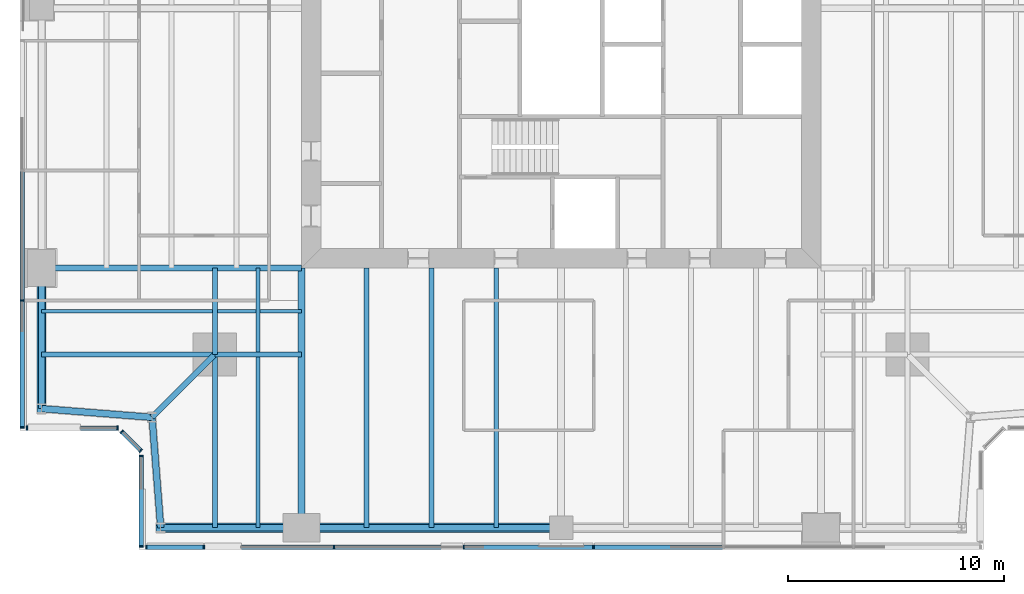
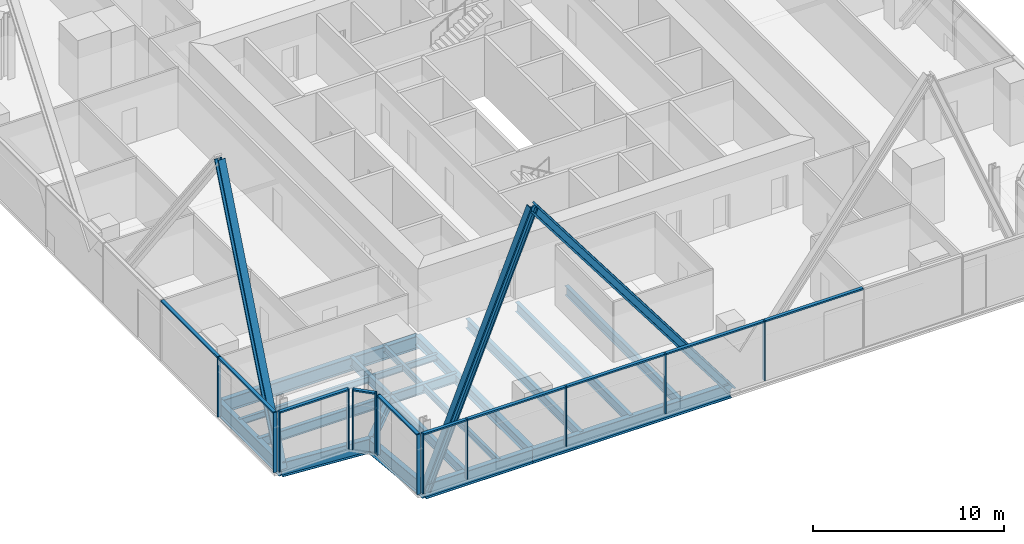
# One storey, part 2 of 14: 26 members, 20 beams, 5 elements without a shape of their own.
"""IFC4 building model written with IfcOpenShell, lengths in metres."""

import ifcopenshell
import ifcopenshell.guid

model = None  # the IFC model being written
_history = None  # IfcOwnerHistory: only IFC2X3 demands one
_inside = {}  # id of a spatial element -> (the spatial element, [elements in it])
_under = {}  # id of a project, library or spatial element -> (it, [spatial elements below it])
_declared = {}  # id of a project -> (the project, [libraries it declares])
_typed = {}  # id of a type object -> (the type object, [elements of that type])
_made_of = {}  # id of a material, layer set ... -> (it, [elements and type objects made of it])


def new_model(schema):
    """Start an empty IFC model of exactly this schema.

    Asked for "IFC4X3", IfcOpenShell would pick the latest addendum, in which some entities
    have other attributes; the version numbers below select the first issue.
    IFC2X3 requires an IfcOwnerHistory on every rooted entity: one is made here for all.
    """
    global model, _history
    if schema == "IFC4X3":
        model = ifcopenshell.file(schema_version=(4, 3, 0, 0))
    else:
        model = ifcopenshell.file(schema=schema)
    _inside.clear()
    _under.clear()
    _declared.clear()
    _typed.clear()
    _made_of.clear()
    _history = None
    if model.schema == "IFC2X3":
        org = make("IfcOrganization", Name="unknown")
        user = make(
            "IfcPersonAndOrganization",
            ThePerson=make("IfcPerson", FamilyName="unknown"),
            TheOrganization=org,
        )
        app = make(
            "IfcApplication",
            ApplicationDeveloper=org,
            Version="unknown",
            ApplicationFullName="unknown",
            ApplicationIdentifier="unknown",
        )
        _history = make(
            "IfcOwnerHistory",
            OwningUser=user,
            OwningApplication=app,
            ChangeAction="ADDED",
            CreationDate=0,
        )
    return model


def make(cls, **values):
    """One entity of the class cls with the attributes given. An attribute that is None is left unset."""
    return model.create_entity(
        cls, **{name: value for name, value in values.items() if value is not None}
    )


def rooted(cls, **values):
    """An entity with a GlobalId (a new one), such as an element, a storey or a relation."""
    return make(cls, GlobalId=ifcopenshell.guid.new(), OwnerHistory=_history, **values)


def si_unit(unit_type, name, prefix=None):
    """IfcSIUnit, for example si_unit("LENGTHUNIT", "METRE", prefix="MILLI")."""
    return make("IfcSIUnit", UnitType=unit_type, Prefix=prefix, Name=name)


def assignment(units):
    """IfcUnitAssignment: the units of a project."""
    return None if units is None else make("IfcUnitAssignment", Units=units)


def point(xyz):
    """IfcCartesianPoint."""
    return None if xyz is None else make("IfcCartesianPoint", Coordinates=xyz)


def direction(xyz):
    """IfcDirection."""
    return None if xyz is None else make("IfcDirection", DirectionRatios=xyz)


def frame(location, z_axis=None, x_axis=None):
    """IfcAxis2Placement3D, a coordinate frame: its origin and axes. An axis left out is left unset."""
    return make(
        "IfcAxis2Placement3D",
        Location=point(location),
        Axis=direction(z_axis),
        RefDirection=direction(x_axis),
    )


def frame_2d(location, x_axis=None):
    """IfcAxis2Placement2D, a coordinate frame in the plane: its origin and x axis."""
    return make(
        "IfcAxis2Placement2D", Location=point(location), RefDirection=direction(x_axis)
    )


def origin():
    """The frame at (0, 0, 0) with its axes left unset."""
    return frame((0.0, 0.0, 0.0))


def origin_2d():
    """The frame at (0, 0) in the plane with its x axis left unset."""
    return frame_2d((0.0, 0.0))


def place(relative_to, where):
    """IfcLocalPlacement: puts the frame where relative to a parent placement (None: the world)."""
    return make(
        "IfcLocalPlacement", PlacementRelTo=relative_to, RelativePlacement=where
    )


def context(
    kind, dimensions, precision=None, world=None, true_north=None, identifier=None
):
    """IfcGeometricRepresentationContext, for example the 3D "Model" context."""
    return make(
        "IfcGeometricRepresentationContext",
        ContextIdentifier=identifier,
        ContextType=kind,
        CoordinateSpaceDimension=dimensions,
        Precision=precision,
        WorldCoordinateSystem=world,
        TrueNorth=true_north,
    )


def subcontext(parent, identifier, kind, view, scale=None):
    """IfcGeometricRepresentationSubContext, for example "Body" below "Model"."""
    return make(
        "IfcGeometricRepresentationSubContext",
        ContextIdentifier=identifier,
        ContextType=kind,
        ParentContext=parent,
        TargetScale=scale,
        TargetView=view,
    )


def project(units=None, contexts=None):
    """IfcProject with its units and contexts."""
    return rooted(
        "IfcProject",
        Name="project",
        RepresentationContexts=contexts,
        UnitsInContext=assignment(units),
    )


def spatial(cls, under=None, at=None, **own):
    """A site, building, storey or space (cls), placed at a placement, below another one or the project."""
    s = rooted(cls, ObjectPlacement=at, **own)
    if under is not None:
        _under.setdefault(under.id(), (under, []))[1].append(s)
    return s


def profile(cls, at=None, kind="AREA", **sizes):
    """A parametric profile (cls). Its sizes go by their IFC names, for example OverallWidth=200.0."""
    return make(cls, ProfileType=kind, Position=at, **sizes)


def rectangle(**sizes):
    """IfcRectangleProfileDef."""
    return profile("IfcRectangleProfileDef", **sizes)


def i_section(**sizes):
    """IfcIShapeProfileDef."""
    return profile("IfcIShapeProfileDef", **sizes)


def extrude(swept, where, along, depth):
    """IfcExtrudedAreaSolid: the profile swept, set in the frame where, extruded along a direction by depth."""
    return make(
        "IfcExtrudedAreaSolid",
        SweptArea=swept,
        Position=where,
        ExtrudedDirection=direction(along),
        Depth=depth,
    )


def shape(context_of_items, identifier, shape_type, items):
    """IfcShapeRepresentation: the items that make up one representation, for example the "Body"."""
    return make(
        "IfcShapeRepresentation",
        ContextOfItems=context_of_items,
        RepresentationIdentifier=identifier,
        RepresentationType=shape_type,
        Items=items,
    )


def material(Name=None, Category=None):
    """IfcMaterial."""
    return make("IfcMaterial", Name=Name, Category=Category)


def material_profile(
    of_material, cross_section, Name=None, Category=None, Priority=None
):
    """IfcMaterialProfile: a cross section and its material."""
    return make(
        "IfcMaterialProfile",
        Name=Name,
        Material=of_material,
        Profile=cross_section,
        Priority=Priority,
        Category=Category,
    )


def profile_set(profiles, Name=None, composite=None):
    """IfcMaterialProfileSet."""
    return make(
        "IfcMaterialProfileSet",
        Name=Name,
        MaterialProfiles=profiles,
        CompositeProfile=composite,
    )


def made_of(thing, what):
    """Note that an element or type object is made of a material, layer set ...; save() writes the relation."""
    if what is not None:
        _made_of.setdefault(what.id(), (what, []))[1].append(thing)
    return thing


def type_object(cls, material=None, **own):
    """A type object (cls), such as IfcWallType, which elements share."""
    return made_of(rooted(cls, **own), material)


def element(
    cls,
    number,
    at=None,
    inside=None,
    cuts=None,
    type_object=None,
    material=None,
    context=None,
    identifier="Body",
    shape_type=None,
    held_by="IfcProductDefinitionShape",
    body=None,
    shapes=None,
    **own,
):
    """One element of the class cls, such as IfcWall. Its Tag is "e" and its number.

    at: its placement. inside: the storey or other place that contains it. cuts: it is an
    opening in that element (IfcRelVoidsElement). A single representation is given by context,
    identifier, shape_type and body (its items); several are given by shapes. held_by: the class
    of the entity that holds the representations. save() writes the other relations.
    """
    e = rooted(cls, Tag="e%d" % number, ObjectPlacement=at, **own)
    if body is not None:
        shapes = [shape(context, identifier, shape_type, body)]
    if shapes is not None:
        e.Representation = make(held_by, Representations=shapes)
    if inside is not None:
        _inside.setdefault(inside.id(), (inside, []))[1].append(e)
    if cuts is not None:
        rooted(
            "IfcRelVoidsElement", RelatingBuildingElement=cuts, RelatedOpeningElement=e
        )
    if type_object is not None:
        _typed.setdefault(type_object.id(), (type_object, []))[1].append(e)
    return made_of(e, material)


def aggregate(whole, parts):
    """IfcRelAggregates: a whole, such as a stair, and the parts it consists of."""
    return rooted("IfcRelAggregates", RelatingObject=whole, RelatedObjects=parts)


def save(model, path):
    """Write the relations noted so far, then the file.

    IfcRelAggregates (storeys below a building ...), IfcRelContainedInSpatialStructure (elements
    in a storey), IfcRelDefinesByType, IfcRelAssociatesMaterial and IfcRelDeclares: one each for
    every whole, place, type object, material and project.
    """
    for whole, parts in _under.values():
        aggregate(whole, parts)
    for where, things in _inside.values():
        rooted(
            "IfcRelContainedInSpatialStructure",
            RelatedElements=things,
            RelatingStructure=where,
        )
    for kind, things in _typed.values():
        rooted("IfcRelDefinesByType", RelatedObjects=things, RelatingType=kind)
    for what, things in _made_of.values():
        rooted("IfcRelAssociatesMaterial", RelatedObjects=things, RelatingMaterial=what)
    for by, libraries in _declared.values():
        rooted("IfcRelDeclares", RelatingContext=by, RelatedDefinitions=libraries)
    model.write(path)


model = new_model("IFC4")

# Units and contexts
model_context = context("Model", 3, precision=1e-05, world=origin(), true_north=direction((0.0, 1.0)))
body_context = subcontext(model_context, "Body", "Model", "MODEL_VIEW")
ifc_project = project(units=[si_unit("LENGTHUNIT", "METRE"), si_unit("AREAUNIT", "SQUARE_METRE"), si_unit("VOLUMEUNIT", "CUBIC_METRE"), si_unit("PLANEANGLEUNIT", "RADIAN"), si_unit("MASSUNIT", "GRAM", prefix="KILO")], contexts=[model_context])

# Site, building, storey
site_placement = place(None, origin())
site = spatial("IfcSite", under=ifc_project, at=site_placement, CompositionType="ELEMENT")
building_placement = place(site_placement, origin())
building = spatial("IfcBuilding", under=site, at=building_placement, Name="Fenwick Lantern Interchange", CompositionType="ELEMENT")
storey_placement = place(building_placement, frame((0.0, 0.0, 217.800048828125)))
storey = spatial("IfcBuildingStorey", under=building, at=storey_placement, Name="L51", CompositionType="ELEMENT", Elevation=217.800048828125)

# Beams
ifc_material_1 = material(Name="Steel ASTM A992 Grade 50", Category="steel")
ifc_material_profile_1 = material_profile(ifc_material_1, i_section(OverallWidth=0.3046875, OverallDepth=0.911865234375, WebThickness=0.015869140625, FlangeThickness=0.02392578125, at=origin_2d()), Name="W36X150")
ifc_profile_set_1 = profile_set([ifc_material_profile_1], Name="Steel ASTM A992 Grade 50")
beam_type_1 = type_object("IfcBeamType", Name="EDGE BEAM W36X150", PredefinedType="SPANDREL", material=ifc_profile_set_1)
beam_1_placement = place(storey_placement, frame((6.5, 1.0, -0.60595703125), z_axis=(1.0, 0.0, 0.0), x_axis=(0.0, 1.0, 0.0)))
element("IfcBeam", 1, at=beam_1_placement, inside=storey, type_object=beam_type_1, Name="L51/FR/S/EB1", PredefinedType="SPANDREL", context=body_context, shape_type="SweptSolid", body=[
    extrude(i_section(OverallWidth=0.3046875, OverallDepth=0.911865234375, WebThickness=0.015869140625, FlangeThickness=0.02392578125, at=origin_2d()), origin(), (0.0, 0.0, 1.0), 6.5),
])
beam_2_placement = place(storey_placement, frame((13.0, 1.0, -0.60595703125), z_axis=(1.0, 0.0, 0.0), x_axis=(0.0, 1.0, 0.0)))
element("IfcBeam", 2, at=beam_2_placement, inside=storey, type_object=beam_type_1, Name="L51/FR/S/EB2", PredefinedType="SPANDREL", context=body_context, shape_type="SweptSolid", body=[
    extrude(i_section(OverallWidth=0.3046875, OverallDepth=0.911865234375, WebThickness=0.015869140625, FlangeThickness=0.02392578125, at=origin_2d()), origin(), (0.0, 0.0, 1.0), 12.0),
])
beam_3_placement = place(storey_placement, frame((1.0, 13.0, -0.60595703125), z_axis=(0.0, -1.0, 0.0), x_axis=(1.0, 0.0, 0.0)))
element("IfcBeam", 3, at=beam_3_placement, inside=storey, type_object=beam_type_1, Name="L51/FR/W/EB4", PredefinedType="SPANDREL", context=body_context, shape_type="SweptSolid", body=[
    extrude(i_section(OverallWidth=0.3046875, OverallDepth=0.911865234375, WebThickness=0.015869140625, FlangeThickness=0.02392578125, at=origin_2d()), origin(), (0.0, 0.0, 1.0), 6.5),
])
for number, where, z_axis, x_axis, name in (
    (4, (1.0, 6.5, -0.60595703125), (0.99693998236, -0.078170784639, 0.0), (0.078170784639, 0.99693998236, 0.0), "L51/FR/W/EBR1"),
    (5, (6.10009765625, 6.10009765625, -0.60595703125), (0.078170784639, -0.99693998236, 0.0), (0.99693998236, 0.078170784639, 0.0), "L51/FR/W/EBR2"),
):
    element("IfcBeam", number, at=place(storey_placement, frame(where, z_axis=z_axis, x_axis=x_axis)), inside=storey, type_object=beam_type_1, Name=name, PredefinedType="SPANDREL", context=body_context, shape_type="SweptSolid", body=[
        extrude(i_section(OverallWidth=0.3046875, OverallDepth=0.911865234375, WebThickness=0.015869140625, FlangeThickness=0.02392578125, at=origin_2d()), origin(), (0.0, 0.0, 1.0), 5.11572265625),
    ])

# Members
ifc_material_profile_2 = material_profile(ifc_material_1, i_section(OverallWidth=0.424072265625, OverallDepth=0.47509765625, WebThickness=0.0478515625, FlangeThickness=0.0771484375, at=origin_2d()), Name="W14X426")
ifc_profile_set_2 = profile_set([ifc_material_profile_2], Name="Steel ASTM A992 Grade 50")
member_type_1 = type_object("IfcMemberType", Name="FACADE BRACE W14X426", PredefinedType="BRACE", material=ifc_profile_set_2)
for number, where, z_axis, x_axis, name in (
    (6, (6.5, 1.0, -0.60595703125), (0.378707062483, 0.0, 0.925516591329), (0.0, 1.0, 0.0), "L51/FB/S/AE"),
    (7, (1.0, 6.5, -0.60595703125), (0.0, 0.378707062483, 0.925516591329), (-1.0, 0.0, 0.0), "L51/FB/W/BE"),
):
    element("IfcMember", number, at=place(storey_placement, frame(where, z_axis=z_axis, x_axis=x_axis)), inside=storey, type_object=member_type_1, Name=name, PredefinedType="BRACE", context=body_context, shape_type="SweptSolid", body=[
        extrude(i_section(OverallWidth=0.424072265625, OverallDepth=0.47509765625, WebThickness=0.0478515625, FlangeThickness=0.0771484375, at=origin_2d()), origin(), (0.0, 0.0, 1.0), 17.16357421875),
    ])
ifc_material_profile_3 = material_profile(ifc_material_1, i_section(OverallWidth=0.44189453125, OverallDepth=0.53076171875, WebThickness=0.06591796875, FlangeThickness=0.105712890625, at=origin_2d()), Name="W14X605")
ifc_profile_set_3 = profile_set([ifc_material_profile_3], Name="Steel ASTM A992 Grade 50")
member_type_2 = type_object("IfcMemberType", Name="FACADE BRACE W14X605", PredefinedType="BRACE", material=ifc_profile_set_3)
member_1_placement = place(storey_placement, frame((25.0, 1.0, -0.60595703125), z_axis=(-0.602763000162, 0.0, 0.797920275238), x_axis=(0.0, -1.0, 0.0)))
element("IfcMember", 8, at=member_1_placement, inside=storey, type_object=member_type_2, Name="L51/FB/S/A", PredefinedType="BRACE", context=body_context, shape_type="SweptSolid", body=[
    extrude(i_section(OverallWidth=0.44189453125, OverallDepth=0.53076171875, WebThickness=0.06591796875, FlangeThickness=0.105712890625, at=origin_2d()), origin(), (0.0, 0.0, 1.0), 19.908203125),
])

# Beams
ifc_material_profile_4 = material_profile(ifc_material_1, i_section(OverallWidth=0.22900390625, OverallDepth=0.612060546875, WebThickness=0.011962890625, FlangeThickness=0.01953125, at=origin_2d()), Name="W24X84")
ifc_profile_set_4 = profile_set([ifc_material_profile_4], Name="Steel ASTM A992 Grade 50")
beam_type_2 = type_object("IfcBeamType", Name="FLOOR BEAM W24X84", PredefinedType="BEAM", material=ifc_profile_set_4)
for number, where, z_axis, x_axis, name in (
    (9, (16.0, 1.0, -0.4560546875), (0.0, 1.0, 0.0), (-1.0, 0.0, 0.0), "L51/FR/S/R02"),
    (10, (19.0, 1.0, -0.4560546875), (0.0, 1.0, 0.0), (-1.0, 0.0, 0.0), "L51/FR/S/R03"),
    (11, (22.0, 1.0, -0.4560546875), (0.0, 1.0, 0.0), (-1.0, 0.0, 0.0), "L51/FR/S/R04"),
):
    element("IfcBeam", number, at=place(storey_placement, frame(where, z_axis=z_axis, x_axis=x_axis)), inside=storey, type_object=beam_type_2, Name=name, PredefinedType="BEAM", context=body_context, shape_type="SweptSolid", body=[
        extrude(i_section(OverallWidth=0.22900390625, OverallDepth=0.612060546875, WebThickness=0.011962890625, FlangeThickness=0.01953125, at=origin_2d()), origin(), (0.0, 0.0, 1.0), 12.0),
    ])
ifc_material_profile_5 = material_profile(ifc_material_1, i_section(OverallWidth=0.177734375, OverallDepth=0.406494140625, WebThickness=0.0078125, FlangeThickness=0.012939453125, at=origin_2d()), Name="W16X40")
ifc_profile_set_5 = profile_set([ifc_material_profile_5], Name="Steel ASTM A992 Grade 50")
beam_type_3 = type_object("IfcBeamType", Name="INFILL BEAM W16X40", PredefinedType="JOIST", material=ifc_profile_set_5)
beam_4_placement = place(storey_placement, frame((11.0, 1.0, -0.353271484375), z_axis=(0.0, 1.0, 0.0), x_axis=(-1.0, 0.0, 0.0)))
element("IfcBeam", 12, at=beam_4_placement, inside=storey, type_object=beam_type_3, Name="L51/FR/S/J1", PredefinedType="JOIST", context=body_context, shape_type="SweptSolid", body=[
    extrude(i_section(OverallWidth=0.177734375, OverallDepth=0.406494140625, WebThickness=0.0078125, FlangeThickness=0.012939453125, at=origin_2d()), origin(), (0.0, 0.0, 1.0), 7.885498046875),
])
beam_5_placement = place(storey_placement, frame((11.0, 9.114501953125, -0.353271484375), z_axis=(0.0, 1.0, 0.0), x_axis=(-1.0, 0.0, 0.0)))
element("IfcBeam", 13, at=beam_5_placement, inside=storey, type_object=beam_type_3, Name="L51/FR/S/J2", PredefinedType="JOIST", context=body_context, shape_type="SweptSolid", body=[
    extrude(i_section(OverallWidth=0.177734375, OverallDepth=0.406494140625, WebThickness=0.0078125, FlangeThickness=0.012939453125, at=origin_2d()), origin(), (0.0, 0.0, 1.0), 3.885498046875),
])
beam_6_placement = place(storey_placement, frame((1.0, 11.0, -0.353271484375), z_axis=(1.0, 0.0, 0.0), x_axis=(0.0, 1.0, 0.0)))
element("IfcBeam", 14, at=beam_6_placement, inside=storey, type_object=beam_type_3, Name="L51/FR/S/J3", PredefinedType="JOIST", context=body_context, shape_type="SweptSolid", body=[
    extrude(i_section(OverallWidth=0.177734375, OverallDepth=0.406494140625, WebThickness=0.0078125, FlangeThickness=0.012939453125, at=origin_2d()), origin(), (0.0, 0.0, 1.0), 7.885498046875),
])
beam_7_placement = place(storey_placement, frame((9.114501953125, 11.0, -0.353271484375), z_axis=(1.0, 0.0, 0.0), x_axis=(0.0, 1.0, 0.0)))
element("IfcBeam", 15, at=beam_7_placement, inside=storey, type_object=beam_type_3, Name="L51/FR/S/J4", PredefinedType="JOIST", context=body_context, shape_type="SweptSolid", body=[
    extrude(i_section(OverallWidth=0.177734375, OverallDepth=0.406494140625, WebThickness=0.0078125, FlangeThickness=0.012939453125, at=origin_2d()), origin(), (0.0, 0.0, 1.0), 1.796630859375),
])
beam_8_placement = place(storey_placement, frame((11.0888671875, 11.0, -0.353271484375), z_axis=(1.0, 0.0, 0.0), x_axis=(0.0, 1.0, 0.0)))
element("IfcBeam", 16, at=beam_8_placement, inside=storey, type_object=beam_type_3, Name="L51/FR/S/J5", PredefinedType="JOIST", context=body_context, shape_type="SweptSolid", body=[
    extrude(i_section(OverallWidth=0.177734375, OverallDepth=0.406494140625, WebThickness=0.0078125, FlangeThickness=0.012939453125, at=origin_2d()), origin(), (0.0, 0.0, 1.0), 1.9111328125),
])
ifc_material_profile_6 = material_profile(ifc_material_1, i_section(OverallWidth=0.22900390625, OverallDepth=0.612060546875, WebThickness=0.011962890625, FlangeThickness=0.01953125, at=origin_2d()), Name="W24X84")
ifc_profile_set_6 = profile_set([ifc_material_profile_6], Name="Steel ASTM A992 Grade 50")
beam_type_4 = type_object("IfcBeamType", Name="MEGA COLUMN BEAM W24X84", PredefinedType="BEAM", material=ifc_profile_set_6)
for number, where, z_axis, x_axis, name in (
    (17, (9.0, 9.0, -0.4560546875), (0.0, -1.0, 0.0), (1.0, 0.0, 0.0), "L51/FR/S/MB1"),
    (18, (9.0, 9.0, -0.4560546875), (-1.0, 0.0, 0.0), (0.0, -1.0, 0.0), "L51/FR/S/MB2"),
):
    element("IfcBeam", number, at=place(storey_placement, frame(where, z_axis=z_axis, x_axis=x_axis)), inside=storey, type_object=beam_type_4, Name=name, PredefinedType="BEAM", context=body_context, shape_type="SweptSolid", body=[
        extrude(i_section(OverallWidth=0.22900390625, OverallDepth=0.612060546875, WebThickness=0.011962890625, FlangeThickness=0.01953125, at=origin_2d()), origin(), (0.0, 0.0, 1.0), 8.0),
    ])
for number, where, z_axis, x_axis, name in (
    (19, (9.0, 9.0, -0.4560546875), (1.0, 0.0, 0.0), (0.0, 1.0, 0.0), "L51/FR/S/MB3"),
    (20, (9.0, 9.0, -0.4560546875), (0.0, 1.0, 0.0), (-1.0, 0.0, 0.0), "L51/FR/S/MB4"),
):
    element("IfcBeam", number, at=place(storey_placement, frame(where, z_axis=z_axis, x_axis=x_axis)), inside=storey, type_object=beam_type_4, Name=name, PredefinedType="BEAM", context=body_context, shape_type="SweptSolid", body=[
        extrude(i_section(OverallWidth=0.22900390625, OverallDepth=0.612060546875, WebThickness=0.011962890625, FlangeThickness=0.01953125, at=origin_2d()), origin(), (0.0, 0.0, 1.0), 4.0),
    ])
ifc_material_profile_7 = material_profile(ifc_material_1, i_section(OverallWidth=0.32763671875, OverallDepth=0.622314453125, WebThickness=0.015380859375, FlangeThickness=0.0244140625, at=origin_2d()), Name="W24X131")
ifc_profile_set_7 = profile_set([ifc_material_profile_7], Name="Steel ASTM A992 Grade 50")
beam_type_5 = type_object("IfcBeamType", Name="MOMENT-CONNECTED GIRDER W24X131", PredefinedType="BEAM", material=ifc_profile_set_7)
beam_9_placement = place(storey_placement, frame((13.0, 1.0, -0.461181640625), z_axis=(0.0, 1.0, 0.0), x_axis=(-1.0, 0.0, 0.0)))
element("IfcBeam", 21, at=beam_9_placement, inside=storey, type_object=beam_type_5, Name="L51/FR/S/R01", PredefinedType="BEAM", context=body_context, shape_type="SweptSolid", body=[
    extrude(i_section(OverallWidth=0.32763671875, OverallDepth=0.622314453125, WebThickness=0.015380859375, FlangeThickness=0.0244140625, at=origin_2d()), origin(), (0.0, 0.0, 1.0), 12.0),
])
ifc_material_profile_8 = material_profile(ifc_material_1, i_section(OverallWidth=0.2919921875, OverallDepth=0.845703125, WebThickness=0.015380859375, FlangeThickness=0.0244140625, at=origin_2d()), Name="W33X141")
ifc_profile_set_8 = profile_set([ifc_material_profile_8], Name="Steel ASTM A992 Grade 50")
beam_type_6 = type_object("IfcBeamType", Name="MOMENT-CONNECTED GIRDER W33X141", PredefinedType="BEAM", material=ifc_profile_set_8)
beam_10_placement = place(storey_placement, frame((1.0, 13.0, -0.572998046875), z_axis=(1.0, 0.0, 0.0), x_axis=(0.0, 1.0, 0.0)))
element("IfcBeam", 22, at=beam_10_placement, inside=storey, type_object=beam_type_6, Name="L51/FR/W/R03", PredefinedType="BEAM", context=body_context, shape_type="SweptSolid", body=[
    extrude(i_section(OverallWidth=0.2919921875, OverallDepth=0.845703125, WebThickness=0.015380859375, FlangeThickness=0.0244140625, at=origin_2d()), origin(), (0.0, 0.0, 1.0), 12.0),
])
ifc_material_profile_9 = material_profile(ifc_material_1, i_section(OverallWidth=0.2666015625, OverallDepth=0.7568359375, WebThickness=0.013916015625, FlangeThickness=0.019287109375, at=origin_2d()), Name="W30X108")
ifc_profile_set_9 = profile_set([ifc_material_profile_9], Name="Steel ASTM A992 Grade 50")
beam_type_7 = type_object("IfcBeamType", Name="NOTCH BEAM W30X108", PredefinedType="BEAM", material=ifc_profile_set_9)
beam_11_placement = place(storey_placement, frame((9.0, 9.0, -0.528564453125), z_axis=(-0.707106781187, -0.707106781187, 0.0), x_axis=(0.707106781187, -0.707106781187, 0.0)))
element("IfcBeam", 23, at=beam_11_placement, inside=storey, type_object=beam_type_7, Name="L51/FR/S/TG", PredefinedType="BEAM", context=body_context, shape_type="SweptSolid", body=[
    extrude(i_section(OverallWidth=0.2666015625, OverallDepth=0.7568359375, WebThickness=0.013916015625, FlangeThickness=0.019287109375, at=origin_2d()), origin(), (0.0, 0.0, 1.0), 4.10107421875),
])

# Curtain wall, members
ifc_material_2 = material(Name="Aluminium curtain wall frame", Category="aluminium")
curtain_wall_type = type_object("IfcCurtainWallType", Name="OFFICE CURTAIN WALL", PredefinedType="USERDEFINED", material=ifc_material_2)
curtain_wall_1_placement = place(storey_placement, origin())
curtain_wall_1 = element("IfcCurtainWall", 24, at=curtain_wall_1_placement, inside=storey, type_object=curtain_wall_type, Name="Office curtain wall 01", ObjectType="OFFICE CURTAIN WALL", PredefinedType="USERDEFINED")
ifc_material_3 = material(Name="Aluminium extrusion", Category="aluminium")
ifc_material_profile_10 = material_profile(ifc_material_3, rectangle(XDim=0.199951171875, YDim=0.06494140625, at=origin_2d()), Name="OFFICE CURTAIN WALL MULLION 65 X 200")
ifc_profile_set_10 = profile_set([ifc_material_profile_10], Name="Aluminium extrusion")
member_type_3 = type_object("IfcMemberType", Name="OFFICE CURTAIN WALL MULLION 65 X 200", PredefinedType="MULLION", material=ifc_profile_set_10)
member_2_placement = place(storey_placement, frame((5.83251953125, 0.10009765625, 0.0), z_axis=(0.0, 0.0, 1.0), x_axis=(0.0, 1.0, 0.0)))
member_2 = element("IfcMember", 25, at=member_2_placement, type_object=member_type_3, Name="L51/CW/01/M00", PredefinedType="MULLION", context=body_context, shape_type="SweptSolid", body=[
    extrude(rectangle(XDim=0.199951171875, YDim=0.06494140625, at=origin_2d()), origin(), (0.0, 0.0, 1.0), 3.849853515625),
])
member_3_placement = place(storey_placement, frame((8.5, 0.10009765625, 0.0), z_axis=(0.0, 0.0, 1.0), x_axis=(0.0, 1.0, 0.0)))
member_3 = element("IfcMember", 26, at=member_3_placement, type_object=member_type_3, Name="L51/CW/01/M01", PredefinedType="MULLION", context=body_context, shape_type="SweptSolid", body=[
    extrude(rectangle(XDim=0.199951171875, YDim=0.06494140625, at=origin_2d()), origin(), (0.0, 0.0, 1.0), 3.849853515625),
])
member_4_placement = place(storey_placement, frame((14.5, 0.10009765625, 0.0), z_axis=(0.0, 0.0, 1.0), x_axis=(0.0, 1.0, 0.0)))
member_4 = element("IfcMember", 27, at=member_4_placement, type_object=member_type_3, Name="L51/CW/01/M02", PredefinedType="MULLION", context=body_context, shape_type="SweptSolid", body=[
    extrude(rectangle(XDim=0.199951171875, YDim=0.06494140625, at=origin_2d()), origin(), (0.0, 0.0, 1.0), 3.849853515625),
])
member_5_placement = place(storey_placement, frame((20.5, 0.10009765625, 0.0), z_axis=(0.0, 0.0, 1.0), x_axis=(0.0, 1.0, 0.0)))
member_5 = element("IfcMember", 28, at=member_5_placement, type_object=member_type_3, Name="L51/CW/01/M03", PredefinedType="MULLION", context=body_context, shape_type="SweptSolid", body=[
    extrude(rectangle(XDim=0.199951171875, YDim=0.06494140625, at=origin_2d()), origin(), (0.0, 0.0, 1.0), 3.849853515625),
])
member_6_placement = place(storey_placement, frame((26.5, 0.10009765625, 0.0), z_axis=(0.0, 0.0, 1.0), x_axis=(0.0, 1.0, 0.0)))
member_6 = element("IfcMember", 29, at=member_6_placement, type_object=member_type_3, Name="L51/CW/01/M04", PredefinedType="MULLION", context=body_context, shape_type="SweptSolid", body=[
    extrude(rectangle(XDim=0.199951171875, YDim=0.06494140625, at=origin_2d()), origin(), (0.0, 0.0, 1.0), 3.849853515625),
])

curtain_wall_2_placement = place(storey_placement, origin())
curtain_wall_2 = element("IfcCurtainWall", 30, at=curtain_wall_2_placement, inside=storey, type_object=curtain_wall_type, Name="Office curtain wall 13", ObjectType="OFFICE CURTAIN WALL", PredefinedType="USERDEFINED")
member_7_placement = place(storey_placement, frame((0.10009765625, 11.5, 0.0), z_axis=(0.0, 0.0, 1.0), x_axis=(1.0, 0.0, 0.0)))
member_7 = element("IfcMember", 31, at=member_7_placement, type_object=member_type_3, Name="L51/CW/13/M06", PredefinedType="MULLION", context=body_context, shape_type="SweptSolid", body=[
    extrude(rectangle(XDim=0.199951171875, YDim=0.06494140625, at=origin_2d()), origin(), (0.0, 0.0, 1.0), 3.849853515625),
])
member_8_placement = place(storey_placement, frame((0.10009765625, 5.632568359375, 0.0), z_axis=(0.0, 0.0, 1.0), x_axis=(1.0, 0.0, 0.0)))
member_8 = element("IfcMember", 32, at=member_8_placement, type_object=member_type_3, Name="L51/CW/13/M07", PredefinedType="MULLION", context=body_context, shape_type="SweptSolid", body=[
    extrude(rectangle(XDim=0.199951171875, YDim=0.06494140625, at=origin_2d()), origin(), (0.0, 0.0, 1.0), 3.849853515625),
])

curtain_wall_3_placement = place(storey_placement, origin())
curtain_wall_3 = element("IfcCurtainWall", 33, at=curtain_wall_3_placement, inside=storey, type_object=curtain_wall_type, Name="Office curtain wall 14", ObjectType="OFFICE CURTAIN WALL", PredefinedType="USERDEFINED")
member_9_placement = place(storey_placement, frame((0.33251953125, 5.60009765625, 0.0), z_axis=(0.0, 0.0, 1.0), x_axis=(0.0, 1.0, 0.0)))
member_9 = element("IfcMember", 34, at=member_9_placement, type_object=member_type_3, Name="L51/CW/14/M00", PredefinedType="MULLION", context=body_context, shape_type="SweptSolid", body=[
    extrude(rectangle(XDim=0.199951171875, YDim=0.06494140625, at=origin_2d()), origin(), (0.0, 0.0, 1.0), 3.849853515625),
])
member_10_placement = place(storey_placement, frame((4.509033203125, 5.60009765625, 0.0), z_axis=(0.0, 0.0, 1.0), x_axis=(0.0, 1.0, 0.0)))
member_10 = element("IfcMember", 35, at=member_10_placement, type_object=member_type_3, Name="L51/CW/14/M01", PredefinedType="MULLION", context=body_context, shape_type="SweptSolid", body=[
    extrude(rectangle(XDim=0.199951171875, YDim=0.06494140625, at=origin_2d()), origin(), (0.0, 0.0, 1.0), 3.849853515625),
])

curtain_wall_4_placement = place(storey_placement, origin())
curtain_wall_4 = element("IfcCurtainWall", 36, at=curtain_wall_4_placement, inside=storey, type_object=curtain_wall_type, Name="Office curtain wall 15", ObjectType="OFFICE CURTAIN WALL", PredefinedType="USERDEFINED")
member_11_placement = place(storey_placement, frame((4.705810546875, 5.435546875, 0.0), z_axis=(0.0, 0.0, 1.0), x_axis=(0.707106781187, 0.707106781187, 0.0)))
member_11 = element("IfcMember", 37, at=member_11_placement, type_object=member_type_3, Name="L51/CW/15/M00", PredefinedType="MULLION", context=body_context, shape_type="SweptSolid", body=[
    extrude(rectangle(XDim=0.199951171875, YDim=0.06494140625, at=origin_2d()), origin(), (0.0, 0.0, 1.0), 3.849853515625),
])
member_12_placement = place(storey_placement, frame((5.576904296875, 4.564453125, 0.0), z_axis=(0.0, 0.0, 1.0), x_axis=(0.707106781187, 0.707106781187, 0.0)))
member_12 = element("IfcMember", 38, at=member_12_placement, type_object=member_type_3, Name="L51/CW/15/M01", PredefinedType="MULLION", context=body_context, shape_type="SweptSolid", body=[
    extrude(rectangle(XDim=0.199951171875, YDim=0.06494140625, at=origin_2d()), origin(), (0.0, 0.0, 1.0), 3.849853515625),
])

curtain_wall_5_placement = place(storey_placement, origin())
curtain_wall_5 = element("IfcCurtainWall", 39, at=curtain_wall_5_placement, inside=storey, type_object=curtain_wall_type, Name="Office curtain wall 16", ObjectType="OFFICE CURTAIN WALL", PredefinedType="USERDEFINED")
member_13_placement = place(storey_placement, frame((5.60009765625, 4.308837890625, 0.0), z_axis=(0.0, 0.0, 1.0), x_axis=(1.0, 0.0, 0.0)))
member_13 = element("IfcMember", 40, at=member_13_placement, type_object=member_type_3, Name="L51/CW/16/M00", PredefinedType="MULLION", context=body_context, shape_type="SweptSolid", body=[
    extrude(rectangle(XDim=0.199951171875, YDim=0.06494140625, at=origin_2d()), origin(), (0.0, 0.0, 1.0), 3.849853515625),
])
member_14_placement = place(storey_placement, frame((5.60009765625, 0.132568359375, 0.0), z_axis=(0.0, 0.0, 1.0), x_axis=(1.0, 0.0, 0.0)))
member_14 = element("IfcMember", 41, at=member_14_placement, type_object=member_type_3, Name="L51/CW/16/M01", PredefinedType="MULLION", context=body_context, shape_type="SweptSolid", body=[
    extrude(rectangle(XDim=0.199951171875, YDim=0.06494140625, at=origin_2d()), origin(), (0.0, 0.0, 1.0), 3.849853515625),
])

# Member
ifc_material_profile_11 = material_profile(ifc_material_3, rectangle(XDim=0.199951171875, YDim=0.10009765625, at=origin_2d()), Name="OFFICE CURTAIN WALL TRANSOM 100 X 200")
ifc_profile_set_11 = profile_set([ifc_material_profile_11], Name="Aluminium extrusion")
member_type_4 = type_object("IfcMemberType", Name="OFFICE CURTAIN WALL TRANSOM 100 X 200", PredefinedType="MULLION", material=ifc_profile_set_11)
member_15_placement = place(storey_placement, frame((5.864990234375, 0.10009765625, 3.800048828125), z_axis=(1.0, 0.0, 0.0), x_axis=(0.0, 1.0, 0.0)))
member_15 = element("IfcMember", 42, at=member_15_placement, type_object=member_type_4, Name="L51/CW/01/T00", PredefinedType="MULLION", context=body_context, shape_type="SweptSolid", body=[
    extrude(rectangle(XDim=0.199951171875, YDim=0.10009765625, at=origin_2d()), origin(), (0.0, 0.0, 1.0), 2.6025390625),
])

member_16_placement = place(storey_placement, frame((8.532470703125, 0.10009765625, 3.800048828125), z_axis=(1.0, 0.0, 0.0), x_axis=(0.0, 1.0, 0.0)))
member_16 = element("IfcMember", 43, at=member_16_placement, type_object=member_type_4, Name="L51/CW/01/T01", PredefinedType="MULLION", context=body_context, shape_type="SweptSolid", body=[
    extrude(rectangle(XDim=0.199951171875, YDim=0.10009765625, at=origin_2d()), origin(), (0.0, 0.0, 1.0), 5.93505859375),
])

member_17_placement = place(storey_placement, frame((14.532470703125, 0.10009765625, 3.800048828125), z_axis=(1.0, 0.0, 0.0), x_axis=(0.0, 1.0, 0.0)))
member_17 = element("IfcMember", 44, at=member_17_placement, type_object=member_type_4, Name="L51/CW/01/T02", PredefinedType="MULLION", context=body_context, shape_type="SweptSolid", body=[
    extrude(rectangle(XDim=0.199951171875, YDim=0.10009765625, at=origin_2d()), origin(), (0.0, 0.0, 1.0), 5.93505859375),
])

member_18_placement = place(storey_placement, frame((20.532470703125, 0.10009765625, 3.800048828125), z_axis=(1.0, 0.0, 0.0), x_axis=(0.0, 1.0, 0.0)))
member_18 = element("IfcMember", 45, at=member_18_placement, type_object=member_type_4, Name="L51/CW/01/T03", PredefinedType="MULLION", context=body_context, shape_type="SweptSolid", body=[
    extrude(rectangle(XDim=0.199951171875, YDim=0.10009765625, at=origin_2d()), origin(), (0.0, 0.0, 1.0), 5.93505859375),
])

member_19_placement = place(storey_placement, frame((26.532470703125, 0.10009765625, 3.800048828125), z_axis=(1.0, 0.0, 0.0), x_axis=(0.0, 1.0, 0.0)))
member_19 = element("IfcMember", 46, at=member_19_placement, type_object=member_type_4, Name="L51/CW/01/T04", PredefinedType="MULLION", context=body_context, shape_type="SweptSolid", body=[
    extrude(rectangle(XDim=0.199951171875, YDim=0.10009765625, at=origin_2d()), origin(), (0.0, 0.0, 1.0), 5.93505859375),
])

aggregate(curtain_wall_1, [member_2, member_3, member_4, member_5, member_6, member_15, member_16, member_17, member_18, member_19])

member_20_placement = place(storey_placement, frame((0.10009765625, 17.467529296875, 3.800048828125), z_axis=(0.0, -1.0, 0.0), x_axis=(1.0, 0.0, 0.0)))
member_20 = element("IfcMember", 47, at=member_20_placement, type_object=member_type_4, Name="L51/CW/13/T05", PredefinedType="MULLION", context=body_context, shape_type="SweptSolid", body=[
    extrude(rectangle(XDim=0.199951171875, YDim=0.10009765625, at=origin_2d()), origin(), (0.0, 0.0, 1.0), 5.93505859375),
])

member_21_placement = place(storey_placement, frame((0.10009765625, 11.467529296875, 3.800048828125), z_axis=(0.0, -1.0, 0.0), x_axis=(1.0, 0.0, 0.0)))
member_21 = element("IfcMember", 48, at=member_21_placement, type_object=member_type_4, Name="L51/CW/13/T06", PredefinedType="MULLION", context=body_context, shape_type="SweptSolid", body=[
    extrude(rectangle(XDim=0.199951171875, YDim=0.10009765625, at=origin_2d()), origin(), (0.0, 0.0, 1.0), 5.802490234375),
])

aggregate(curtain_wall_2, [member_7, member_8, member_20, member_21])

member_22_placement = place(storey_placement, frame((0.364990234375, 5.60009765625, 3.800048828125), z_axis=(1.0, 0.0, 0.0), x_axis=(0.0, 1.0, 0.0)))
member_22 = element("IfcMember", 49, at=member_22_placement, type_object=member_type_4, Name="L51/CW/14/T00", PredefinedType="MULLION", context=body_context, shape_type="SweptSolid", body=[
    extrude(rectangle(XDim=0.199951171875, YDim=0.10009765625, at=origin_2d()), origin(), (0.0, 0.0, 1.0), 4.111328125),
])

aggregate(curtain_wall_3, [member_9, member_10, member_22])

member_23_placement = place(storey_placement, frame((4.728759765625, 5.41259765625, 3.800048828125), z_axis=(0.707106781187, -0.707106781187, 0.0), x_axis=(0.707106781187, 0.707106781187, 0.0)))
member_23 = element("IfcMember", 50, at=member_23_placement, type_object=member_type_4, Name="L51/CW/15/T00", PredefinedType="MULLION", context=body_context, shape_type="SweptSolid", body=[
    extrude(rectangle(XDim=0.199951171875, YDim=0.10009765625, at=origin_2d()), origin(), (0.0, 0.0, 1.0), 1.1669921875),
])

aggregate(curtain_wall_4, [member_11, member_12, member_23])

member_24_placement = place(storey_placement, frame((5.60009765625, 4.2763671875, 3.800048828125), z_axis=(0.0, -1.0, 0.0), x_axis=(1.0, 0.0, 0.0)))
member_24 = element("IfcMember", 51, at=member_24_placement, type_object=member_type_4, Name="L51/CW/16/T00", PredefinedType="MULLION", context=body_context, shape_type="SweptSolid", body=[
    extrude(rectangle(XDim=0.199951171875, YDim=0.10009765625, at=origin_2d()), origin(), (0.0, 0.0, 1.0), 4.111328125),
])

aggregate(curtain_wall_5, [member_13, member_14, member_24])

save(model, "model.ifc")
